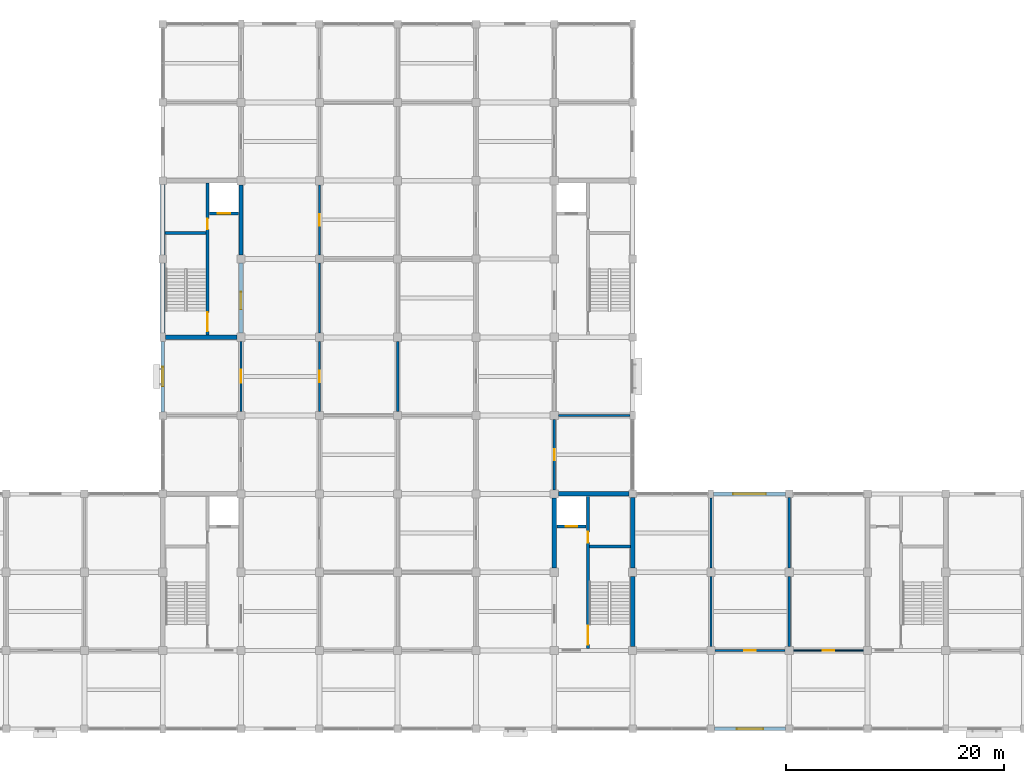
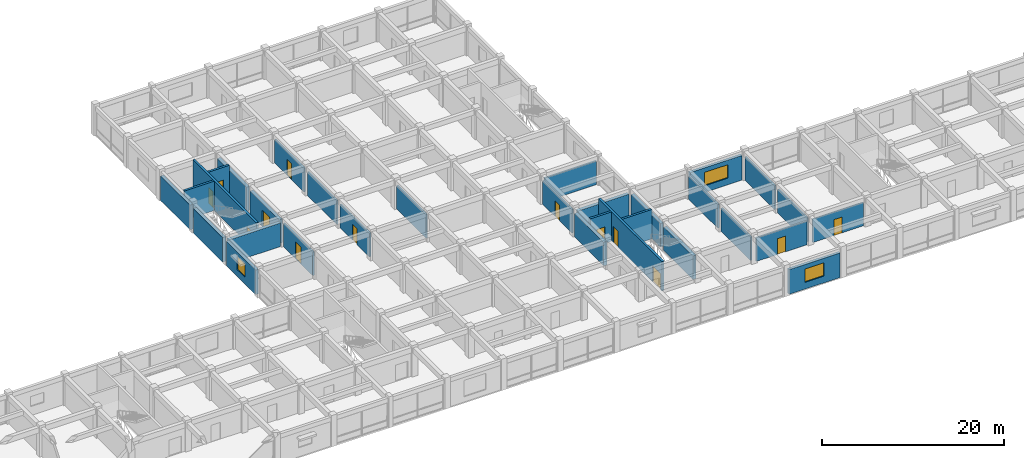
# One storey, part 21 of 31: 31 walls, 13 doors, 3 windows, 16 openings.
"""IFC4 building model written with IfcOpenShell, lengths in metres."""

from ifc_helpers import new_model, si_unit, direction, frame, frame_2d, origin, place, context, subcontext, project, spatial, rectangle, extrude, material, layer, layer_set, type_object, element, fill, save


model = new_model("IFC4")

# Units and contexts
model_context = context("Model", 3, precision=1e-05, world=origin(), true_north=direction((0.0, 1.0)))
body_context = subcontext(model_context, "Body", "Model", "MODEL_VIEW")
ifc_project = project(units=[si_unit("LENGTHUNIT", "METRE"), si_unit("AREAUNIT", "SQUARE_METRE"), si_unit("VOLUMEUNIT", "CUBIC_METRE"), si_unit("PLANEANGLEUNIT", "RADIAN"), si_unit("MASSUNIT", "GRAM", prefix="KILO")], contexts=[model_context])

# Site, building, storey
site_placement = place(None, origin())
site = spatial("IfcSite", under=ifc_project, at=site_placement, CompositionType="ELEMENT")
building_placement = place(site_placement, origin())
building = spatial("IfcBuilding", under=site, at=building_placement, Name="Cendaluz Park School", CompositionType="ELEMENT")
storey_placement = place(building_placement, frame((0.0, 0.0, 14.39990234375)))
storey = spatial("IfcBuildingStorey", under=building, at=storey_placement, Name="L03", CompositionType="ELEMENT", Elevation=14.39990234375)

# Walls
ifc_material_1 = material(Name="Gypsum Plasterboard on Cold-Formed Stud", Category="gypsum")
ifc_layer_1 = layer(ifc_material_1, 0.199951171875)
ifc_layer_set_1 = layer_set([ifc_layer_1], Name="Gypsum Plasterboard on Cold-Formed Stud")
wall_type_1 = type_object("IfcWallType", Name="W-AC20", PredefinedType="PARTITIONING", material=ifc_layer_set_1)
wall_1_placement = place(storey_placement, frame((115.199951171875, 14.77490234375, 0.0), z_axis=(0.0, 0.0, 1.0), x_axis=(0.0, 1.0, 0.0)))
element("IfcWall", 1, at=wall_1_placement, inside=storey, type_object=wall_type_1, Name="WL-FD-BN1", PredefinedType="PARTITIONING", context=body_context, shape_type="SweptSolid", body=[
    extrude(rectangle(XDim=6.4501953125, YDim=0.199951171875, at=frame_2d((3.22509765625, 0.0))), origin(), (0.0, 0.0, 1.0), 3.170166015625),
])
wall_2_placement = place(storey_placement, frame((115.199951171875, 21.97509765625, 0.0), z_axis=(0.0, 0.0, 1.0), x_axis=(0.0, 1.0, 0.0)))
element("IfcWall", 2, at=wall_2_placement, inside=storey, type_object=wall_type_1, Name="WL-FD-BN2", PredefinedType="PARTITIONING", context=body_context, shape_type="SweptSolid", body=[
    extrude(rectangle(XDim=6.449951171875, YDim=0.199951171875, at=frame_2d((3.22509765625, 0.0))), origin(), (0.0, 0.0, 1.0), 3.170166015625),
])

# Wall, opening, door
wall_3_placement = place(storey_placement, frame((115.574951171875, 14.39990234375, 0.0), z_axis=(0.0, 0.0, 1.0), x_axis=(1.0, 0.0, 0.0)))
wall_3 = element("IfcWall", 3, at=wall_3_placement, inside=storey, type_object=wall_type_1, Name="WL-FD-BN3", PredefinedType="PARTITIONING", context=body_context, shape_type="SweptSolid", body=[
    extrude(rectangle(XDim=6.449951171875, YDim=0.199951171875, at=frame_2d((3.22509765625, 0.0))), origin(), (0.0, 0.0, 1.0), 3.170166015625),
])
opening_1_placement = place(wall_3_placement, frame((2.715087890625, 0.0, 0.0)))
opening_1 = element("IfcOpeningElement", 4, at=opening_1_placement, cuts=wall_3, Name="Opening DCL-02", PredefinedType="OPENING", context=body_context, shape_type="SweptSolid", body=[
    extrude(rectangle(XDim=1.02001953125, YDim=2.1201171875, at=frame_2d((0.510009765625, 1.06005859375))), frame((0.0, 0.112060546875, 0.0), z_axis=(0.0, -1.0, 0.0), x_axis=(1.0, 0.0, 0.0)), (0.0, 0.0, 1.0), 0.223876953125),
])
ifc_material_2 = material(Name="Solid Core Hardwood", Category="wood")
door_type_1 = type_object("IfcDoorType", Name="DCL-02", OperationType="NOTDEFINED", PredefinedType="DOOR", material=ifc_material_2)
door_1_placement = place(opening_1_placement, origin())
door_1 = element("IfcDoor", 5, at=door_1_placement, inside=storey, type_object=door_type_1, Name="D-L03-036", OperationType="SINGLE_SWING_RIGHT", OverallHeight=2.1201171875, OverallWidth=1.02001953125, PredefinedType="DOOR", context=body_context, shape_type="SweptSolid", body=[
    extrude(rectangle(XDim=1.02001953125, YDim=2.1201171875, at=frame_2d((0.510009765625, 1.06005859375))), frame((0.0, 0.02490234375, 0.0), z_axis=(0.0, -1.0, 0.0), x_axis=(1.0, 0.0, 0.0)), (0.0, 0.0, 1.0), 0.050048828125),
])
fill(opening_1, door_1)

# Walls
wall_4_placement = place(storey_placement, frame((122.39990234375, 14.77490234375, 0.0), z_axis=(0.0, 0.0, 1.0), x_axis=(0.0, 1.0, 0.0)))
element("IfcWall", 6, at=wall_4_placement, inside=storey, type_object=wall_type_1, Name="WL-FD-BN4", PredefinedType="PARTITIONING", context=body_context, shape_type="SweptSolid", body=[
    extrude(rectangle(XDim=6.4501953125, YDim=0.199951171875, at=frame_2d((3.22509765625, 0.0))), origin(), (0.0, 0.0, 1.0), 3.170166015625),
])
wall_5_placement = place(storey_placement, frame((122.39990234375, 21.97509765625, 0.0), z_axis=(0.0, 0.0, 1.0), x_axis=(0.0, 1.0, 0.0)))
element("IfcWall", 7, at=wall_5_placement, inside=storey, type_object=wall_type_1, Name="WL-FD-BN5", PredefinedType="PARTITIONING", context=body_context, shape_type="SweptSolid", body=[
    extrude(rectangle(XDim=6.474853515625, YDim=0.199951171875, at=frame_2d((3.2373046875, 0.0))), origin(), (0.0, 0.0, 1.0), 3.170166015625),
])

# Wall, opening, door
wall_6_placement = place(storey_placement, frame((72.0, 36.375, 0.0), z_axis=(0.0, 0.0, 1.0), x_axis=(0.0, 1.0, 0.0)))
wall_6 = element("IfcWall", 8, at=wall_6_placement, inside=storey, type_object=wall_type_1, Name="WL-FD-BO6", PredefinedType="PARTITIONING", context=body_context, shape_type="SweptSolid", body=[
    extrude(rectangle(XDim=6.449951171875, YDim=0.199951171875, at=frame_2d((3.22509765625, 0.0))), origin(), (0.0, 0.0, 1.0), 3.170166015625),
])
opening_2_placement = place(wall_6_placement, frame((2.625, 0.0, 0.0)))
opening_2 = element("IfcOpeningElement", 9, at=opening_2_placement, cuts=wall_6, Name="Opening DCL-08", PredefinedType="OPENING", context=body_context, shape_type="SweptSolid", body=[
    extrude(rectangle(XDim=1.199951171875, YDim=2.239990234375, at=frame_2d((0.60009765625, 1.1201171875))), frame((0.0, 0.112060546875, 0.0), z_axis=(0.0, -1.0, 0.0), x_axis=(1.0, 0.0, 0.0)), (0.0, 0.0, 1.0), 0.223876953125),
])
door_type_2 = type_object("IfcDoorType", Name="DCL-08", OperationType="NOTDEFINED", PredefinedType="DOOR", material=ifc_material_2)
door_2_placement = place(opening_2_placement, origin())
door_2 = element("IfcDoor", 10, at=door_2_placement, inside=storey, type_object=door_type_2, Name="D-L03-042", OperationType="SINGLE_SWING_RIGHT", OverallHeight=2.239990234375, OverallWidth=1.199951171875, PredefinedType="DOOR", context=body_context, shape_type="SweptSolid", body=[
    extrude(rectangle(XDim=1.199951171875, YDim=2.239990234375, at=frame_2d((0.60009765625, 1.1201171875))), frame((0.0, 0.02490234375, 0.0), z_axis=(0.0, -1.0, 0.0), x_axis=(1.0, 0.0, 0.0)), (0.0, 0.0, 1.0), 0.050048828125),
])
fill(opening_2, door_2)

wall_7_placement = place(storey_placement, frame((79.199951171875, 36.375, 0.0), z_axis=(0.0, 0.0, 1.0), x_axis=(0.0, 1.0, 0.0)))
wall_7 = element("IfcWall", 11, at=wall_7_placement, inside=storey, type_object=wall_type_1, Name="WL-FD-BP9", PredefinedType="PARTITIONING", context=body_context, shape_type="SweptSolid", body=[
    extrude(rectangle(XDim=6.449951171875, YDim=0.199951171875, at=frame_2d((3.22509765625, 0.0))), origin(), (0.0, 0.0, 1.0), 3.170166015625),
])
opening_3_placement = place(wall_7_placement, frame((2.705078125, 0.0, 0.0)))
opening_3 = element("IfcOpeningElement", 12, at=opening_3_placement, cuts=wall_7, Name="Opening DCL-03", PredefinedType="OPENING", context=body_context, shape_type="SweptSolid", body=[
    extrude(rectangle(XDim=1.0400390625, YDim=2.139892578125, at=frame_2d((0.52001953125, 1.06982421875))), frame((0.0, 0.112060546875, 0.0), z_axis=(0.0, -1.0, 0.0), x_axis=(1.0, 0.0, 0.0)), (0.0, 0.0, 1.0), 0.223876953125),
])
door_type_3 = type_object("IfcDoorType", Name="DCL-03", OperationType="NOTDEFINED", PredefinedType="DOOR", material=ifc_material_2)
door_3_placement = place(opening_3_placement, frame((1.0400390625, 0.0, 0.0), z_axis=(0.0, 0.0, 1.0), x_axis=(-1.0, 0.0, 0.0)))
door_3 = element("IfcDoor", 13, at=door_3_placement, inside=storey, type_object=door_type_3, Name="D-L03-047", OperationType="SINGLE_SWING_LEFT", OverallHeight=2.139892578125, OverallWidth=1.0400390625, PredefinedType="DOOR", context=body_context, shape_type="SweptSolid", body=[
    extrude(rectangle(XDim=1.0400390625, YDim=2.139892578125, at=frame_2d((0.52001953125, 1.06982421875))), frame((0.0, 0.02490234375, 0.0), z_axis=(0.0, -1.0, 0.0), x_axis=(1.0, 0.0, 0.0)), (0.0, 0.0, 1.0), 0.050048828125),
])
fill(opening_3, door_3)

# Walls
for number, where, z_axis, x_axis, name in (
    (14, (86.39990234375, 36.375, 0.0), (0.0, 0.0, 1.0), (0.0, 1.0, 0.0), "WL-FD-BQ0"),
    (15, (79.199951171875, 43.574951171875, 0.0), (0.0, 0.0, 1.0), (0.0, 1.0, 0.0), "WL-FD-BQ2"),
):
    element("IfcWall", number, at=place(storey_placement, frame(where, z_axis=z_axis, x_axis=x_axis)), inside=storey, type_object=wall_type_1, Name=name, PredefinedType="PARTITIONING", context=body_context, shape_type="SweptSolid", body=[
        extrude(rectangle(XDim=6.449951171875, YDim=0.199951171875, at=frame_2d((3.22509765625, 0.0))), origin(), (0.0, 0.0, 1.0), 3.170166015625),
    ])

# Wall, opening, door
wall_8_placement = place(storey_placement, frame((79.199951171875, 50.77490234375, 0.0), z_axis=(0.0, 0.0, 1.0), x_axis=(0.0, 1.0, 0.0)))
wall_8 = element("IfcWall", 16, at=wall_8_placement, inside=storey, type_object=wall_type_1, Name="WL-FD-BQ4", PredefinedType="PARTITIONING", context=body_context, shape_type="SweptSolid", body=[
    extrude(rectangle(XDim=6.4501953125, YDim=0.199951171875, at=frame_2d((3.22509765625, 0.0))), origin(), (0.0, 0.0, 1.0), 3.170166015625),
])
opening_4_placement = place(wall_8_placement, frame((2.695068359375, 0.0, 0.0)))
opening_4 = element("IfcOpeningElement", 17, at=opening_4_placement, cuts=wall_8, Name="Opening DCL-04", PredefinedType="OPENING", context=body_context, shape_type="SweptSolid", body=[
    extrude(rectangle(XDim=1.06005859375, YDim=2.159912109375, at=frame_2d((0.530029296875, 1.080078125))), frame((0.0, 0.112060546875, 0.0), z_axis=(0.0, -1.0, 0.0), x_axis=(1.0, 0.0, 0.0)), (0.0, 0.0, 1.0), 0.223876953125),
])
door_type_4 = type_object("IfcDoorType", Name="DCL-04", OperationType="NOTDEFINED", PredefinedType="DOOR", material=ifc_material_2)
door_4_placement = place(opening_4_placement, frame((1.06005859375, 0.0, 0.0), z_axis=(0.0, 0.0, 1.0), x_axis=(-1.0, 0.0, 0.0)))
door_4 = element("IfcDoor", 18, at=door_4_placement, inside=storey, type_object=door_type_4, Name="D-L03-048", OperationType="SINGLE_SWING_RIGHT", OverallHeight=2.159912109375, OverallWidth=1.06005859375, PredefinedType="DOOR", context=body_context, shape_type="SweptSolid", body=[
    extrude(rectangle(XDim=1.06005859375, YDim=2.159912109375, at=frame_2d((0.530029296875, 1.080078125))), frame((0.0, 0.02490234375, 0.0), z_axis=(0.0, -1.0, 0.0), x_axis=(1.0, 0.0, 0.0)), (0.0, 0.0, 1.0), 0.050048828125),
])
fill(opening_4, door_4)

# Wall
wall_9_placement = place(storey_placement, frame((101.175048828125, 36.0, 0.0), z_axis=(0.0, 0.0, 1.0), x_axis=(1.0, 0.0, 0.0)))
element("IfcWall", 19, at=wall_9_placement, inside=storey, type_object=wall_type_1, Name="WL-FD-BS4", PredefinedType="PARTITIONING", context=body_context, shape_type="SweptSolid", body=[
    extrude(rectangle(XDim=6.574951171875, YDim=0.199951171875, at=frame_2d((3.28759765625, 0.0))), origin(), (0.0, 0.0, 1.0), 3.170166015625),
])

# Wall, opening, door
wall_10_placement = place(storey_placement, frame((100.800048828125, 29.175048828125, 0.0), z_axis=(0.0, 0.0, 1.0), x_axis=(0.0, 1.0, 0.0)))
wall_10 = element("IfcWall", 20, at=wall_10_placement, inside=storey, type_object=wall_type_1, Name="WL-FD-BS5", PredefinedType="PARTITIONING", context=body_context, shape_type="SweptSolid", body=[
    extrude(rectangle(XDim=6.449951171875, YDim=0.199951171875, at=frame_2d((3.22509765625, 0.0))), origin(), (0.0, 0.0, 1.0), 3.170166015625),
])
opening_5_placement = place(wall_10_placement, frame((2.72509765625, 0.0, 0.0)))
opening_5 = element("IfcOpeningElement", 21, at=opening_5_placement, cuts=wall_10, Name="Opening DCL-01", PredefinedType="OPENING", context=body_context, shape_type="SweptSolid", body=[
    extrude(rectangle(XDim=1.0, YDim=2.10009765625, at=frame_2d((0.5, 1.050048828125))), frame((0.0, 0.112060546875, 0.0), z_axis=(0.0, -1.0, 0.0), x_axis=(1.0, 0.0, 0.0)), (0.0, 0.0, 1.0), 0.223876953125),
])
door_type_5 = type_object("IfcDoorType", Name="DCL-01", OperationType="NOTDEFINED", PredefinedType="DOOR", material=ifc_material_2)
door_5_placement = place(opening_5_placement, frame((1.0, 0.0, 0.0), z_axis=(0.0, 0.0, 1.0), x_axis=(-1.0, 0.0, 0.0)))
door_5 = element("IfcDoor", 22, at=door_5_placement, inside=storey, type_object=door_type_5, Name="D-L03-055", OperationType="SINGLE_SWING_LEFT", OverallHeight=2.10009765625, OverallWidth=1.0, PredefinedType="DOOR", context=body_context, shape_type="SweptSolid", body=[
    extrude(rectangle(XDim=1.0, YDim=2.10009765625, at=frame_2d((0.5, 1.050048828125))), frame((0.0, 0.02490234375, 0.0), z_axis=(0.0, -1.0, 0.0), x_axis=(1.0, 0.0, 0.0)), (0.0, 0.0, 1.0), 0.050048828125),
])
fill(opening_5, door_5)

# Wall, opening, window
ifc_material_3 = material(Name="Concrete C40/50 precast", Category="concrete")
ifc_layer_2 = layer(ifc_material_3, 0.340087890625)
ifc_layer_set_2 = layer_set([ifc_layer_2], Name="Concrete C40/50 precast")
wall_type_2 = type_object("IfcWallType", Name="W-EX34", PredefinedType="SOLIDWALL", material=ifc_layer_set_2)
wall_11_placement = place(storey_placement, frame((64.800048828125, 36.35009765625, 0.0), z_axis=(0.0, 0.0, 1.0), x_axis=(0.0, 1.0, 0.0)))
wall_11 = element("IfcWall", 23, at=wall_11_placement, inside=storey, type_object=wall_type_2, Name="WL-FD-AA7", PredefinedType="SOLIDWALL", context=body_context, shape_type="SweptSolid", body=[
    extrude(rectangle(XDim=6.474853515625, YDim=0.340087890625, at=frame_2d((3.2373046875, 0.0))), origin(), (0.0, 0.0, 1.0), 3.31005859375),
])
opening_6_placement = place(wall_11_placement, frame((2.33740234375, 0.0, 0.89990234375)))
opening_6 = element("IfcOpeningElement", 24, at=opening_6_placement, cuts=wall_11, Name="Opening WN-01", PredefinedType="OPENING", context=body_context, shape_type="SweptSolid", body=[
    extrude(rectangle(XDim=1.800048828125, YDim=1.800048828125, at=frame_2d((0.89990234375, 0.89990234375))), frame((0.0, 0.18212890625, 0.0), z_axis=(0.0, -1.0, 0.0), x_axis=(1.0, 0.0, 0.0)), (0.0, 0.0, 1.0), 0.364013671875),
])
ifc_material_4 = material(Name="Tempered Low-E Double Glazing", Category="glass")
window_type_1 = type_object("IfcWindowType", Name="WN-01", PartitioningType="SINGLE_PANEL", PredefinedType="WINDOW", material=ifc_material_4)
window_1_placement = place(opening_6_placement, origin())
window_1 = element("IfcWindow", 25, at=window_1_placement, inside=storey, type_object=window_type_1, Name="WN-L03-007", OverallHeight=1.800048828125, OverallWidth=1.800048828125, PartitioningType="SINGLE_PANEL", PredefinedType="WINDOW", context=body_context, shape_type="SweptSolid", body=[
    extrude(rectangle(XDim=1.800048828125, YDim=1.800048828125, at=frame_2d((0.89990234375, 0.89990234375))), frame((0.0, 0.030029296875, 0.0), z_axis=(0.0, -1.0, 0.0), x_axis=(1.0, 0.0, 0.0)), (0.0, 0.0, 1.0), 0.06005859375),
])
fill(opening_6, window_1)

wall_12_placement = place(storey_placement, frame((115.550048828125, 7.199951171875, 0.0), z_axis=(0.0, 0.0, 1.0), x_axis=(1.0, 0.0, 0.0)))
wall_12 = element("IfcWall", 26, at=wall_12_placement, inside=storey, type_object=wall_type_2, Name="WL-FD-AB5", PredefinedType="SOLIDWALL", context=body_context, shape_type="SweptSolid", body=[
    extrude(rectangle(XDim=6.5, YDim=0.340087890625, at=frame_2d((3.25, 0.0))), origin(), (0.0, 0.0, 1.0), 3.31005859375),
])
opening_7_placement = place(wall_12_placement, frame((2.050048828125, 0.0, 0.89990234375)))
opening_7 = element("IfcOpeningElement", 27, at=opening_7_placement, cuts=wall_12, Name="Opening WN-04", PredefinedType="OPENING", context=body_context, shape_type="SweptSolid", body=[
    extrude(rectangle(XDim=2.39990234375, YDim=1.800048828125, at=frame_2d((1.199951171875, 0.89990234375))), frame((0.0, 0.18212890625, 0.0), z_axis=(0.0, -1.0, 0.0), x_axis=(1.0, 0.0, 0.0)), (0.0, 0.0, 1.0), 0.364013671875),
])
window_type_2 = type_object("IfcWindowType", Name="WN-04", PartitioningType="SINGLE_PANEL", PredefinedType="WINDOW", material=ifc_material_4)
window_2_placement = place(opening_7_placement, origin())
window_2 = element("IfcWindow", 28, at=window_2_placement, inside=storey, type_object=window_type_2, Name="WN-L03-015", OverallHeight=1.800048828125, OverallWidth=2.39990234375, PartitioningType="SINGLE_PANEL", PredefinedType="WINDOW", context=body_context, shape_type="SweptSolid", body=[
    extrude(rectangle(XDim=2.39990234375, YDim=1.800048828125, at=frame_2d((1.199951171875, 0.89990234375))), frame((0.0, 0.030029296875, 0.0), z_axis=(0.0, -1.0, 0.0), x_axis=(1.0, 0.0, 0.0)), (0.0, 0.0, 1.0), 0.06005859375),
])
fill(opening_7, window_2)

wall_13_placement = place(storey_placement, frame((115.449951171875, 28.800048828125, 0.0), z_axis=(0.0, 0.0, 1.0), x_axis=(1.0, 0.0, 0.0)))
wall_13 = element("IfcWall", 29, at=wall_13_placement, inside=storey, type_object=wall_type_2, Name="WL-FD-AB6", PredefinedType="SOLIDWALL", context=body_context, shape_type="SweptSolid", body=[
    extrude(rectangle(XDim=6.60009765625, YDim=0.340087890625, at=frame_2d((3.300048828125, 0.0))), origin(), (0.0, 0.0, 1.0), 3.31005859375),
])
opening_8_placement = place(wall_13_placement, frame((1.800048828125, 0.0, 0.89990234375)))
opening_8 = element("IfcOpeningElement", 30, at=opening_8_placement, cuts=wall_13, Name="Opening WN-07", PredefinedType="OPENING", context=body_context, shape_type="SweptSolid", body=[
    extrude(rectangle(XDim=3.0, YDim=1.800048828125, at=frame_2d((1.5, 0.89990234375))), frame((0.0, 0.18212890625, 0.0), z_axis=(0.0, -1.0, 0.0), x_axis=(1.0, 0.0, 0.0)), (0.0, 0.0, 1.0), 0.364013671875),
])
window_type_3 = type_object("IfcWindowType", Name="WN-07", PartitioningType="SINGLE_PANEL", PredefinedType="WINDOW", material=ifc_material_4)
window_3_placement = place(opening_8_placement, origin())
window_3 = element("IfcWindow", 31, at=window_3_placement, inside=storey, type_object=window_type_3, Name="WN-L03-016", OverallHeight=1.800048828125, OverallWidth=3.0, PartitioningType="SINGLE_PANEL", PredefinedType="WINDOW", context=body_context, shape_type="SweptSolid", body=[
    extrude(rectangle(XDim=3.0, YDim=1.800048828125, at=frame_2d((1.5, 0.89990234375))), frame((0.0, 0.030029296875, 0.0), z_axis=(0.0, -1.0, 0.0), x_axis=(1.0, 0.0, 0.0)), (0.0, 0.0, 1.0), 0.06005859375),
])
fill(opening_8, window_3)

# Wall, openings, doors
ifc_material_5 = material(Name="Concrete C40/50", Category="concrete")
ifc_layer_3 = layer(ifc_material_5, 0.280029296875)
ifc_layer_set_3 = layer_set([ifc_layer_3], Name="Concrete C40/50")
wall_type_3 = type_object("IfcWallType", Name="W-FW28", PredefinedType="SHEAR", material=ifc_layer_set_3)
wall_14_placement = place(storey_placement, frame((103.8798828125, 14.60009765625, 0.0), z_axis=(0.0, 0.0, 1.0), x_axis=(0.0, 1.0, 0.0)))
wall_14 = element("IfcWall", 32, at=wall_14_placement, inside=storey, type_object=wall_type_3, Name="WL-FD-BH7", PredefinedType="SHEAR", context=body_context, shape_type="SweptSolid", body=[
    extrude(rectangle(XDim=14.0, YDim=0.280029296875, at=frame_2d((7.0, 0.0))), origin(), (0.0, 0.0, 1.0), 3.940185546875),
])
opening_9_placement = place(wall_14_placement, frame((0.35009765625, 0.0, 0.0)))
opening_9 = element("IfcOpeningElement", 33, at=opening_9_placement, cuts=wall_14, Name="Opening DST-03", PredefinedType="OPENING", context=body_context, shape_type="SweptSolid", body=[
    extrude(rectangle(XDim=1.75, YDim=2.14990234375, at=frame_2d((0.875, 1.074951171875))), frame((0.0, 0.152099609375, 0.0), z_axis=(0.0, -1.0, 0.0), x_axis=(1.0, 0.0, 0.0)), (0.0, 0.0, 1.0), 0.303955078125),
])
opening_10_placement = place(wall_14_placement, frame((9.719970703125, 0.0, 0.0)))
opening_10 = element("IfcOpeningElement", 34, at=opening_10_placement, cuts=wall_14, Name="Opening DFC-01", PredefinedType="OPENING", context=body_context, shape_type="SweptSolid", body=[
    extrude(rectangle(XDim=1.0, YDim=2.14990234375, at=frame_2d((0.5, 1.074951171875))), frame((0.0, 0.152099609375, 0.0), z_axis=(0.0, -1.0, 0.0), x_axis=(1.0, 0.0, 0.0)), (0.0, 0.0, 1.0), 0.303955078125),
])
door_type_6 = type_object("IfcDoorType", Name="DFC-01", OperationType="NOTDEFINED", PredefinedType="DOOR", material=ifc_material_2)
door_6_placement = place(opening_10_placement, frame((1.0, 0.0, 0.0), z_axis=(0.0, 0.0, 1.0), x_axis=(-1.0, 0.0, 0.0)))
door_6 = element("IfcDoor", 35, at=door_6_placement, inside=storey, type_object=door_type_6, Name="D-L03-011", OperationType="SINGLE_SWING_LEFT", OverallHeight=2.14990234375, OverallWidth=1.0, PredefinedType="DOOR", context=body_context, shape_type="SweptSolid", body=[
    extrude(rectangle(XDim=1.0, YDim=2.14990234375, at=frame_2d((0.5, 1.074951171875))), frame((0.0, 0.02490234375, 0.0), z_axis=(0.0, -1.0, 0.0), x_axis=(1.0, 0.0, 0.0)), (0.0, 0.0, 1.0), 0.050048828125),
])
fill(opening_10, door_6)
door_type_7 = type_object("IfcDoorType", Name="DST-03", OperationType="DOUBLE_DOOR_SINGLE_SWING", PredefinedType="DOOR", material=ifc_material_2)
door_7_placement = place(opening_9_placement, frame((1.75, 0.0, 0.0), z_axis=(0.0, 0.0, 1.0), x_axis=(-1.0, 0.0, 0.0)))
door_7 = element("IfcDoor", 36, at=door_7_placement, inside=storey, type_object=door_type_7, Name="D-L03-010", OperationType="DOUBLE_DOOR_SINGLE_SWING", OverallHeight=2.14990234375, OverallWidth=1.75, PredefinedType="DOOR", context=body_context, shape_type="SweptSolid", body=[
    extrude(rectangle(XDim=1.75, YDim=2.14990234375, at=frame_2d((0.875, 1.074951171875))), frame((0.0, 0.02490234375, 0.0), z_axis=(0.0, -1.0, 0.0), x_axis=(1.0, 0.0, 0.0)), (0.0, 0.0, 1.0), 0.050048828125),
])
fill(opening_9, door_7)

# Wall
wall_15_placement = place(storey_placement, frame((104.02001953125, 23.97998046875, 0.0), z_axis=(0.0, 0.0, 1.0), x_axis=(1.0, 0.0, 0.0)))
element("IfcWall", 37, at=wall_15_placement, inside=storey, type_object=wall_type_3, Name="WL-FD-BH8", PredefinedType="SHEAR", context=body_context, shape_type="SweptSolid", body=[
    extrude(rectangle(XDim=3.780029296875, YDim=0.280029296875, at=frame_2d((1.89013671875, 0.0))), origin(), (0.0, 0.0, 1.0), 3.940185546875),
])

# Wall, opening, door
wall_16_placement = place(storey_placement, frame((101.0400390625, 25.800048828125, 0.0), z_axis=(0.0, 0.0, 1.0), x_axis=(1.0, 0.0, 0.0)))
wall_16 = element("IfcWall", 38, at=wall_16_placement, inside=storey, type_object=wall_type_3, Name="WL-FD-BH9", PredefinedType="SHEAR", context=body_context, shape_type="SweptSolid", body=[
    extrude(rectangle(XDim=2.679931640625, YDim=0.280029296875, at=frame_2d((1.33984375, 0.0))), origin(), (0.0, 0.0, 1.0), 3.940185546875),
])
opening_11_placement = place(wall_16_placement, frame((0.81494140625, 0.0, 0.0)))
opening_11 = element("IfcOpeningElement", 39, at=opening_11_placement, cuts=wall_16, Name="Opening LD-02", PredefinedType="OPENING", context=body_context, shape_type="SweptSolid", body=[
    extrude(rectangle(XDim=1.050048828125, YDim=2.199951171875, at=frame_2d((0.52490234375, 1.10009765625))), frame((0.0, 0.152099609375, 0.0), z_axis=(0.0, -1.0, 0.0), x_axis=(1.0, 0.0, 0.0)), (0.0, 0.0, 1.0), 0.303955078125),
])
ifc_material_6 = material(Name="Stainless Steel 316L", Category="steel")
door_type_8 = type_object("IfcDoorType", Name="LD-02", OperationType="DOUBLE_DOOR_SLIDING", PredefinedType="DOOR", material=ifc_material_6)
door_8_placement = place(opening_11_placement, frame((1.050048828125, 0.0, 0.0), z_axis=(0.0, 0.0, 1.0), x_axis=(-1.0, 0.0, 0.0)))
door_8 = element("IfcDoor", 40, at=door_8_placement, inside=storey, type_object=door_type_8, Name="D-L03-012", OperationType="DOUBLE_DOOR_SLIDING", OverallHeight=2.199951171875, OverallWidth=1.050048828125, PredefinedType="DOOR", context=body_context, shape_type="SweptSolid", body=[
    extrude(rectangle(XDim=1.050048828125, YDim=2.199951171875, at=frame_2d((0.52490234375, 1.10009765625))), frame((0.0, 0.02490234375, 0.0), z_axis=(0.0, -1.0, 0.0), x_axis=(1.0, 0.0, 0.0)), (0.0, 0.0, 1.0), 0.050048828125),
])
fill(opening_11, door_8)

# Wall, openings, doors
wall_17_placement = place(storey_placement, frame((68.919921875, 43.39990234375, 0.0), z_axis=(0.0, 0.0, 1.0), x_axis=(0.0, 1.0, 0.0)))
wall_17 = element("IfcWall", 41, at=wall_17_placement, inside=storey, type_object=wall_type_3, Name="WL-FD-BI6", PredefinedType="SHEAR", context=body_context, shape_type="SweptSolid", body=[
    extrude(rectangle(XDim=14.0, YDim=0.280029296875, at=frame_2d((7.0, 0.0))), origin(), (0.0, 0.0, 1.0), 3.940185546875),
])
opening_12_placement = place(wall_17_placement, frame((0.35009765625, 0.0, 0.0)))
opening_12 = element("IfcOpeningElement", 42, at=opening_12_placement, cuts=wall_17, Name="Opening DST-03", PredefinedType="OPENING", context=body_context, shape_type="SweptSolid", body=[
    extrude(rectangle(XDim=1.75, YDim=2.14990234375, at=frame_2d((0.875, 1.074951171875))), frame((0.0, 0.152099609375, 0.0), z_axis=(0.0, -1.0, 0.0), x_axis=(1.0, 0.0, 0.0)), (0.0, 0.0, 1.0), 0.303955078125),
])
opening_13_placement = place(wall_17_placement, frame((9.719970703125, 0.0, 0.0)))
opening_13 = element("IfcOpeningElement", 43, at=opening_13_placement, cuts=wall_17, Name="Opening DFC-01", PredefinedType="OPENING", context=body_context, shape_type="SweptSolid", body=[
    extrude(rectangle(XDim=1.0, YDim=2.14990234375, at=frame_2d((0.5, 1.074951171875))), frame((0.0, 0.152099609375, 0.0), z_axis=(0.0, -1.0, 0.0), x_axis=(1.0, 0.0, 0.0)), (0.0, 0.0, 1.0), 0.303955078125),
])
door_9_placement = place(opening_13_placement, origin())
door_9 = element("IfcDoor", 44, at=door_9_placement, inside=storey, type_object=door_type_6, Name="D-L03-015", OperationType="SINGLE_SWING_LEFT", OverallHeight=2.14990234375, OverallWidth=1.0, PredefinedType="DOOR", context=body_context, shape_type="SweptSolid", body=[
    extrude(rectangle(XDim=1.0, YDim=2.14990234375, at=frame_2d((0.5, 1.074951171875))), frame((0.0, 0.02490234375, 0.0), z_axis=(0.0, -1.0, 0.0), x_axis=(1.0, 0.0, 0.0)), (0.0, 0.0, 1.0), 0.050048828125),
])
fill(opening_13, door_9)
door_10_placement = place(opening_12_placement, origin())
door_10 = element("IfcDoor", 45, at=door_10_placement, inside=storey, type_object=door_type_7, Name="D-L03-014", OperationType="DOUBLE_DOOR_SINGLE_SWING", OverallHeight=2.14990234375, OverallWidth=1.75, PredefinedType="DOOR", context=body_context, shape_type="SweptSolid", body=[
    extrude(rectangle(XDim=1.75, YDim=2.14990234375, at=frame_2d((0.875, 1.074951171875))), frame((0.0, 0.02490234375, 0.0), z_axis=(0.0, -1.0, 0.0), x_axis=(1.0, 0.0, 0.0)), (0.0, 0.0, 1.0), 0.050048828125),
])
fill(opening_12, door_10)

# Wall
wall_18_placement = place(storey_placement, frame((65.0, 52.780029296875, 0.0), z_axis=(0.0, 0.0, 1.0), x_axis=(1.0, 0.0, 0.0)))
element("IfcWall", 46, at=wall_18_placement, inside=storey, type_object=wall_type_3, Name="WL-FD-BI7", PredefinedType="SHEAR", context=body_context, shape_type="SweptSolid", body=[
    extrude(rectangle(XDim=3.780029296875, YDim=0.280029296875, at=frame_2d((1.89013671875, 0.0))), origin(), (0.0, 0.0, 1.0), 3.940185546875),
])

# Wall, opening, door
wall_19_placement = place(storey_placement, frame((69.080078125, 54.60009765625, 0.0), z_axis=(0.0, 0.0, 1.0), x_axis=(1.0, 0.0, 0.0)))
wall_19 = element("IfcWall", 47, at=wall_19_placement, inside=storey, type_object=wall_type_3, Name="WL-FD-BI8", PredefinedType="SHEAR", context=body_context, shape_type="SweptSolid", body=[
    extrude(rectangle(XDim=2.679931640625, YDim=0.280029296875, at=frame_2d((1.33984375, 0.0))), origin(), (0.0, 0.0, 1.0), 3.940185546875),
])
opening_14_placement = place(wall_19_placement, frame((0.764892578125, 0.0, 0.0)))
opening_14 = element("IfcOpeningElement", 48, at=opening_14_placement, cuts=wall_19, Name="Opening LD-01", PredefinedType="OPENING", context=body_context, shape_type="SweptSolid", body=[
    extrude(rectangle(XDim=1.14990234375, YDim=2.199951171875, at=frame_2d((0.574951171875, 1.10009765625))), frame((0.0, 0.152099609375, 0.0), z_axis=(0.0, -1.0, 0.0), x_axis=(1.0, 0.0, 0.0)), (0.0, 0.0, 1.0), 0.303955078125),
])
door_type_9 = type_object("IfcDoorType", Name="LD-01", OperationType="DOUBLE_DOOR_SLIDING", PredefinedType="DOOR", material=ifc_material_6)
door_11_placement = place(opening_14_placement, frame((1.14990234375, 0.0, 0.0), z_axis=(0.0, 0.0, 1.0), x_axis=(-1.0, 0.0, 0.0)))
door_11 = element("IfcDoor", 49, at=door_11_placement, inside=storey, type_object=door_type_9, Name="D-L03-016", OperationType="DOUBLE_DOOR_SLIDING", OverallHeight=2.199951171875, OverallWidth=1.14990234375, PredefinedType="DOOR", context=body_context, shape_type="SweptSolid", body=[
    extrude(rectangle(XDim=1.14990234375, YDim=2.199951171875, at=frame_2d((0.574951171875, 1.10009765625))), frame((0.0, 0.02490234375, 0.0), z_axis=(0.0, -1.0, 0.0), x_axis=(1.0, 0.0, 0.0)), (0.0, 0.0, 1.0), 0.050048828125),
])
fill(opening_14, door_11)

ifc_layer_4 = layer(ifc_material_1, 0.1201171875)
ifc_layer_set_4 = layer_set([ifc_layer_4], Name="Gypsum Plasterboard on Cold-Formed Stud")
wall_type_4 = type_object("IfcWallType", Name="W-MV12", PredefinedType="MOVABLE", material=ifc_layer_set_4)
wall_20_placement = place(storey_placement, frame((122.77490234375, 14.39990234375, 0.0), z_axis=(0.0, 0.0, 1.0), x_axis=(1.0, 0.0, 0.0)))
wall_20 = element("IfcWall", 50, at=wall_20_placement, inside=storey, type_object=wall_type_4, Name="WL-FD-BN6", PredefinedType="MOVABLE", context=body_context, shape_type="SweptSolid", body=[
    extrude(rectangle(XDim=6.4501953125, YDim=0.1201171875, at=frame_2d((3.22509765625, 0.0))), origin(), (0.0, 0.0, 1.0), 3.170166015625),
])
opening_15_placement = place(wall_20_placement, frame((2.705078125, 0.0, 0.0)))
opening_15 = element("IfcOpeningElement", 51, at=opening_15_placement, cuts=wall_20, Name="Opening DCL-03", PredefinedType="OPENING", context=body_context, shape_type="SweptSolid", body=[
    extrude(rectangle(XDim=1.0400390625, YDim=2.139892578125, at=frame_2d((0.52001953125, 1.06982421875))), frame((0.0, 0.072021484375, 0.0), z_axis=(0.0, -1.0, 0.0), x_axis=(1.0, 0.0, 0.0)), (0.0, 0.0, 1.0), 0.14404296875),
])
door_12_placement = place(opening_15_placement, origin())
door_12 = element("IfcDoor", 52, at=door_12_placement, inside=storey, type_object=door_type_3, Name="D-L03-037", OperationType="SINGLE_SWING_LEFT", OverallHeight=2.139892578125, OverallWidth=1.0400390625, PredefinedType="DOOR", context=body_context, shape_type="SweptSolid", body=[
    extrude(rectangle(XDim=1.0400390625, YDim=2.139892578125, at=frame_2d((0.52001953125, 1.06982421875))), frame((0.0, 0.02490234375, 0.0), z_axis=(0.0, -1.0, 0.0), x_axis=(1.0, 0.0, 0.0)), (0.0, 0.0, 1.0), 0.050048828125),
])
fill(opening_15, door_12)

# Walls
ifc_layer_5 = layer(ifc_material_5, 0.39990234375)
ifc_layer_set_5 = layer_set([ifc_layer_5], Name="Concrete C40/50")
wall_type_5 = type_object("IfcWallType", Name="W-SH40", PredefinedType="SHEAR", material=ifc_layer_set_5)
wall_21_placement = place(storey_placement, frame((100.800048828125, 21.97509765625, 0.0), z_axis=(0.0, 0.0, 1.0), x_axis=(0.0, 1.0, 0.0)))
element("IfcWall", 53, at=wall_21_placement, inside=storey, type_object=wall_type_5, Name="WL-FD-BH2", PredefinedType="SHEAR", context=body_context, shape_type="SweptSolid", body=[
    extrude(rectangle(XDim=6.449951171875, YDim=0.39990234375, at=frame_2d((3.22509765625, 0.0))), origin(), (0.0, 0.0, 1.0), 3.170166015625),
])
wall_22_placement = place(storey_placement, frame((108.0, 14.77490234375, 0.0), z_axis=(0.0, 0.0, 1.0), x_axis=(0.0, 1.0, 0.0)))
element("IfcWall", 54, at=wall_22_placement, inside=storey, type_object=wall_type_5, Name="WL-FD-BH3", PredefinedType="SHEAR", context=body_context, shape_type="SweptSolid", body=[
    extrude(rectangle(XDim=6.4501953125, YDim=0.39990234375, at=frame_2d((3.22509765625, 0.0))), origin(), (0.0, 0.0, 1.0), 3.170166015625),
])
for number, where, z_axis, x_axis, name in (
    (55, (108.0, 21.97509765625, 0.0), (0.0, 0.0, 1.0), (0.0, 1.0, 0.0), "WL-FD-BH4"),
    (56, (101.175048828125, 28.800048828125, 0.0), (0.0, 0.0, 1.0), (1.0, 0.0, 0.0), "WL-FD-BH6"),
):
    element("IfcWall", number, at=place(storey_placement, frame(where, z_axis=z_axis, x_axis=x_axis)), inside=storey, type_object=wall_type_5, Name=name, PredefinedType="SHEAR", context=body_context, shape_type="SweptSolid", body=[
        extrude(rectangle(XDim=6.474853515625, YDim=0.39990234375, at=frame_2d((3.2373046875, 0.0))), origin(), (0.0, 0.0, 1.0), 3.170166015625),
    ])
wall_23_placement = place(storey_placement, frame((64.800048828125, 43.574951171875, 0.0), z_axis=(0.0, 0.0, 1.0), x_axis=(0.0, 1.0, 0.0)))
element("IfcWall", 57, at=wall_23_placement, inside=storey, type_object=wall_type_5, Name="WL-FD-BI0", PredefinedType="SHEAR", context=body_context, shape_type="SweptSolid", body=[
    extrude(rectangle(XDim=6.47509765625, YDim=0.39990234375, at=frame_2d((3.237548828125, 0.0))), origin(), (0.0, 0.0, 1.0), 3.31005859375),
])
wall_24_placement = place(storey_placement, frame((64.800048828125, 50.75, 0.0), z_axis=(0.0, 0.0, 1.0), x_axis=(0.0, 1.0, 0.0)))
element("IfcWall", 58, at=wall_24_placement, inside=storey, type_object=wall_type_5, Name="WL-FD-BI1", PredefinedType="SHEAR", context=body_context, shape_type="SweptSolid", body=[
    extrude(rectangle(XDim=6.5, YDim=0.39990234375, at=frame_2d((3.25, 0.0))), origin(), (0.0, 0.0, 1.0), 3.31005859375),
])

# Wall, opening, door
wall_25_placement = place(storey_placement, frame((72.0, 43.574951171875, 0.0), z_axis=(0.0, 0.0, 1.0), x_axis=(0.0, 1.0, 0.0)))
wall_25 = element("IfcWall", 59, at=wall_25_placement, inside=storey, type_object=wall_type_5, Name="WL-FD-BI2", PredefinedType="SHEAR", context=body_context, shape_type="SweptSolid", body=[
    extrude(rectangle(XDim=6.449951171875, YDim=0.39990234375, at=frame_2d((3.22509765625, 0.0))), origin(), (0.0, 0.0, 1.0), 3.170166015625),
])
opening_16_placement = place(wall_25_placement, frame((2.199951171875, 0.0, 0.0)))
opening_16 = element("IfcOpeningElement", 60, at=opening_16_placement, cuts=wall_25, Name="Opening DLB-01", PredefinedType="OPENING", context=body_context, shape_type="SweptSolid", body=[
    extrude(rectangle(XDim=1.60009765625, YDim=2.199951171875, at=frame_2d((0.800048828125, 1.10009765625))), frame((0.0, 0.2119140625, 0.0), z_axis=(0.0, -1.0, 0.0), x_axis=(1.0, 0.0, 0.0)), (0.0, 0.0, 1.0), 0.423828125),
])
door_type_10 = type_object("IfcDoorType", Name="DLB-01", OperationType="DOUBLE_DOOR_SINGLE_SWING", PredefinedType="DOOR", material=ifc_material_2)
door_13_placement = place(opening_16_placement, origin())
door_13 = element("IfcDoor", 61, at=door_13_placement, inside=storey, type_object=door_type_10, Name="D-L03-013", OperationType="DOUBLE_DOOR_SINGLE_SWING", OverallHeight=2.199951171875, OverallWidth=1.60009765625, PredefinedType="DOOR", context=body_context, shape_type="SweptSolid", body=[
    extrude(rectangle(XDim=1.60009765625, YDim=2.199951171875, at=frame_2d((0.800048828125, 1.10009765625))), frame((0.0, 0.02490234375, 0.0), z_axis=(0.0, -1.0, 0.0), x_axis=(1.0, 0.0, 0.0)), (0.0, 0.0, 1.0), 0.050048828125),
])
fill(opening_16, door_13)

# Walls
wall_26_placement = place(storey_placement, frame((72.0, 50.77490234375, 0.0), z_axis=(0.0, 0.0, 1.0), x_axis=(0.0, 1.0, 0.0)))
element("IfcWall", 62, at=wall_26_placement, inside=storey, type_object=wall_type_5, Name="WL-FD-BI3", PredefinedType="SHEAR", context=body_context, shape_type="SweptSolid", body=[
    extrude(rectangle(XDim=6.4501953125, YDim=0.39990234375, at=frame_2d((3.22509765625, 0.0))), origin(), (0.0, 0.0, 1.0), 3.170166015625),
])
wall_27_placement = place(storey_placement, frame((65.050048828125, 43.199951171875, 0.0), z_axis=(0.0, 0.0, 1.0), x_axis=(1.0, 0.0, 0.0)))
element("IfcWall", 63, at=wall_27_placement, inside=storey, type_object=wall_type_5, Name="WL-FD-BI4", PredefinedType="SHEAR", context=body_context, shape_type="SweptSolid", body=[
    extrude(rectangle(XDim=6.574951171875, YDim=0.39990234375, at=frame_2d((3.28759765625, 0.0))), origin(), (0.0, 0.0, 1.0), 3.170166015625),
])

save(model, "model.ifc")
